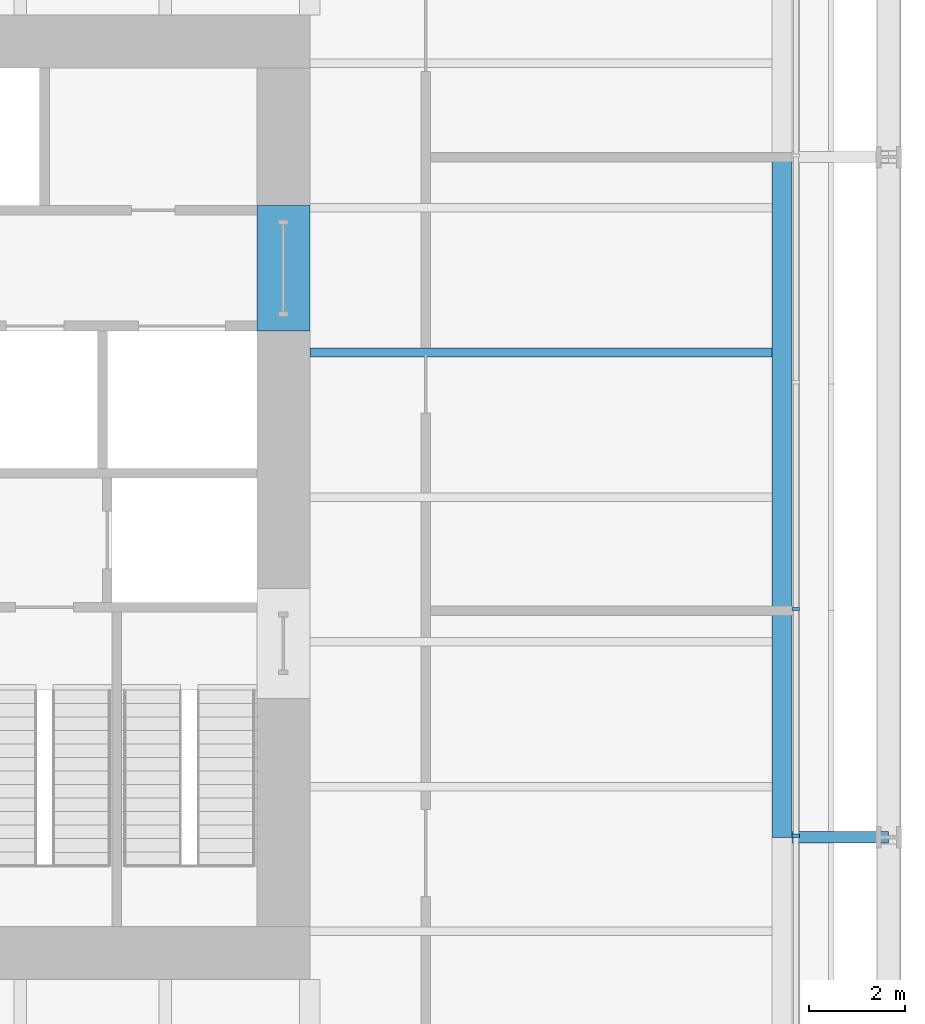
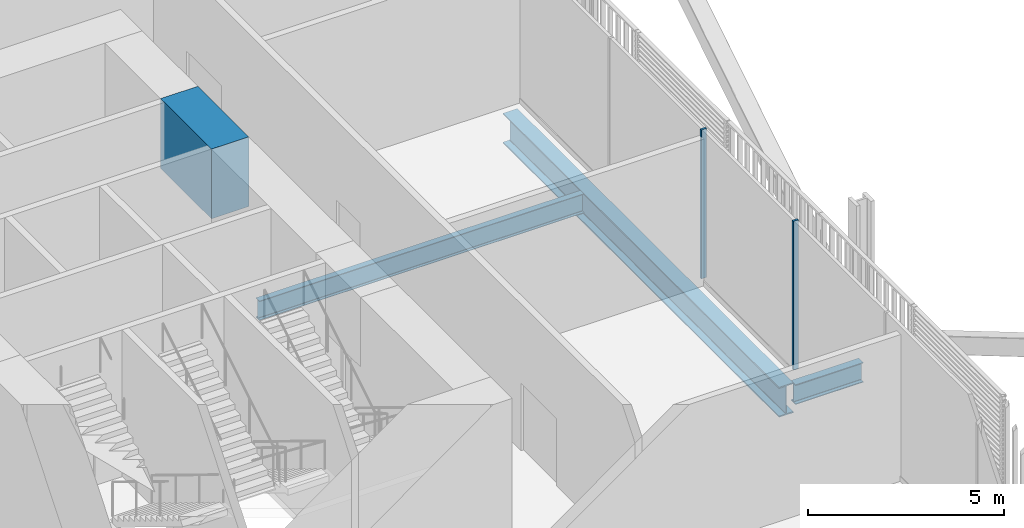
# One storey, part 9 of 22: 4 beams, 2 members, 1 element without a shape of its own.
"""IFC4 building model written with IfcOpenShell, lengths in metres."""

from ifc_helpers import new_model, si_unit, direction, frame, origin, origin_2d, place, context, subcontext, project, spatial, rectangle, i_section, extrude, material, layer, layer_set, material_profile, profile_set, type_object, element, aggregate, save


model = new_model("IFC4")

# Units and contexts
model_context = context("Model", 3, precision=1e-05, world=origin(), true_north=direction((0.0, 1.0)))
body_context = subcontext(model_context, "Body", "Model", "MODEL_VIEW")
ifc_project = project(units=[si_unit("LENGTHUNIT", "METRE"), si_unit("AREAUNIT", "SQUARE_METRE"), si_unit("VOLUMEUNIT", "CUBIC_METRE"), si_unit("PLANEANGLEUNIT", "RADIAN"), si_unit("MASSUNIT", "GRAM", prefix="KILO")], contexts=[model_context])

# Site, building, storey
site_placement = place(None, origin())
site = spatial("IfcSite", under=ifc_project, at=site_placement, CompositionType="ELEMENT")
building_placement = place(site_placement, origin())
building = spatial("IfcBuilding", under=site, at=building_placement, Name="Millrace Tower", CompositionType="ELEMENT")
storey_placement = place(building_placement, frame((0.0, 0.0, 54.5)))
storey = spatial("IfcBuildingStorey", under=building, at=storey_placement, Name="L12", CompositionType="ELEMENT", Elevation=54.5)

# Curtain wall, members
ifc_material_1 = material(Name="Aluminium and glass", Category="aluminium")
ifc_layer = layer(ifc_material_1, 0.14990234375)
ifc_layer_set = layer_set([ifc_layer], Name="Aluminium and glass")
curtain_wall_type = type_object("IfcCurtainWallType", Name="CW-2 data hall insulated curtain wall", PredefinedType="NOTDEFINED", material=ifc_layer_set)
curtain_wall_placement = place(storey_placement, origin())
curtain_wall = element("IfcCurtainWall", 1, at=curtain_wall_placement, inside=storey, type_object=curtain_wall_type, Name="Curtain wall A-F04 L12", PredefinedType="NOTDEFINED")
ifc_material_2 = material(Name="Aluminium", Category="aluminium")
ifc_material_profile_1 = material_profile(ifc_material_2, rectangle(XDim=0.06494140625, YDim=0.14990234375, at=origin_2d()))
ifc_profile_set_1 = profile_set([ifc_material_profile_1], Name="Aluminium")
member_type = type_object("IfcMemberType", Name="CW-2 data hall insulated curtain wall mullion", PredefinedType="MULLION", material=ifc_profile_set_1)
member_1_placement = place(storey_placement, frame((25.074951171875, -7.017578125, 0.159912109375), z_axis=(0.0, 0.0, 1.0), x_axis=(0.0, 1.0, 0.0)))
member_1 = element("IfcMember", 2, at=member_1_placement, type_object=member_type, Name="CW2 mullion A-F04.4", PredefinedType="MULLION", context=body_context, shape_type="SweptSolid", body=[
    extrude(rectangle(XDim=0.06494140625, YDim=0.14990234375, at=origin_2d()), origin(), (0.0, 0.0, 1.0), 4.64013671875),
])
member_2_placement = place(storey_placement, frame((25.074951171875, -2.3173828125, 0.159912109375), z_axis=(0.0, 0.0, 1.0), x_axis=(0.0, 1.0, 0.0)))
member_2 = element("IfcMember", 3, at=member_2_placement, type_object=member_type, Name="CW2 mullion A-F04.5", PredefinedType="MULLION", context=body_context, shape_type="SweptSolid", body=[
    extrude(rectangle(XDim=0.06494140625, YDim=0.14990234375, at=origin_2d()), origin(), (0.0, 0.0, 1.0), 4.64013671875),
])
aggregate(curtain_wall, [member_1, member_2])

# Beams
ifc_material_3 = material(Name="Concrete C80", Category="concrete")
ifc_material_profile_2 = material_profile(ifc_material_3, rectangle(XDim=1.10009765625, YDim=2.175048828125, at=origin_2d()))
ifc_profile_set_2 = profile_set([ifc_material_profile_2], Name="Concrete C80")
beam_type_1 = type_object("IfcBeamType", Name="Coupling beam 1100 x 2175 Concrete C80, 2000 opening", PredefinedType="BEAM", material=ifc_profile_set_2)
beam_1_placement = place(storey_placement, frame((14.449951171875, 6.050048828125, 3.487548828125), z_axis=(0.0, -1.0, 0.0), x_axis=(1.0, 0.0, 0.0)))
element("IfcBeam", 4, at=beam_1_placement, inside=storey, type_object=beam_type_1, Name="Coupling beam E L12", PredefinedType="BEAM", context=body_context, shape_type="SweptSolid", body=[
    extrude(rectangle(XDim=1.10009765625, YDim=2.175048828125, at=origin_2d()), origin(), (0.0, 0.0, 1.0), 2.60009765625),
])
ifc_material_4 = material(Name="Steel ASTM A992 Grade 50", Category="steel")
ifc_material_profile_3 = material_profile(ifc_material_4, i_section(OverallWidth=0.1787109375, OverallDepth=0.60205078125, WebThickness=0.010986328125, FlangeThickness=0.014892578125, FilletRadius=0.0126953125, at=origin_2d()))
ifc_profile_set_3 = profile_set([ifc_material_profile_3], Name="Steel ASTM A992 Grade 50")
beam_type_2 = type_object("IfcBeamType", Name="Floor beam W24x62", PredefinedType="JOIST", material=ifc_profile_set_3)
beam_2_placement = place(storey_placement, frame((15.0, 3.0, -0.52587890625), z_axis=(1.0, 0.0, 0.0), x_axis=(0.0, 1.0, 0.0)))
element("IfcBeam", 5, at=beam_2_placement, inside=storey, type_object=beam_type_2, Name="BM-A-L12-S1-S025", PredefinedType="JOIST", context=body_context, shape_type="SweptSolid", body=[
    extrude(i_section(OverallWidth=0.1787109375, OverallDepth=0.60205078125, WebThickness=0.010986328125, FlangeThickness=0.014892578125, FilletRadius=0.0126953125, at=origin_2d()), origin(), (0.0, 0.0, 1.0), 9.578369140625),
])
ifc_material_5 = material(Name="Steel ASTM A992 Grade 50", Category="steel")
ifc_material_profile_4 = material_profile(ifc_material_5, i_section(OverallWidth=0.23046875, OverallDepth=0.6171875, WebThickness=0.01318359375, FlangeThickness=0.022216796875, FilletRadius=0.012939453125, at=origin_2d()))
ifc_profile_set_4 = profile_set([ifc_material_profile_4], Name="Steel ASTM A992 Grade 50")
beam_type_3 = type_object("IfcBeamType", Name="Link beam W24x94", PredefinedType="BEAM", material=ifc_profile_set_4)
beam_3_placement = place(storey_placement, frame((25.0, -7.050048828125, -0.53369140625), z_axis=(1.0, 0.0, 0.0), x_axis=(0.0, 1.0, 0.0)))
element("IfcBeam", 6, at=beam_3_placement, inside=storey, type_object=beam_type_3, Name="LNK-A-L12-S1-11", PredefinedType="BEAM", context=body_context, shape_type="SweptSolid", body=[
    extrude(i_section(OverallWidth=0.23046875, OverallDepth=0.6171875, WebThickness=0.01318359375, FlangeThickness=0.022216796875, FilletRadius=0.012939453125, at=origin_2d()), origin(), (0.0, 0.0, 1.0), 2.0),
])
ifc_material_6 = material(Name="Steel ASTM A992 Grade 50", Category="steel")
ifc_material_profile_5 = material_profile(ifc_material_6, i_section(OverallWidth=0.421630859375, OverallDepth=0.937255859375, WebThickness=0.021240234375, FlangeThickness=0.03662109375, FilletRadius=0.024169921875, at=origin_2d()))
ifc_profile_set_5 = profile_set([ifc_material_profile_5], Name="Steel ASTM A992 Grade 50")
beam_type_4 = type_object("IfcBeamType", Name="Ring beam medium span W36x262", PredefinedType="SPANDREL", material=ifc_profile_set_5)
beam_4_placement = place(storey_placement, frame((24.7890625, 7.050048828125, -0.693603515625), z_axis=(0.0, -1.0, 0.0), x_axis=(1.0, 0.0, 0.0)))
element("IfcBeam", 7, at=beam_4_placement, inside=storey, type_object=beam_type_4, Name="RNG-A-L12-S1-10", PredefinedType="SPANDREL", context=body_context, shape_type="SweptSolid", body=[
    extrude(i_section(OverallWidth=0.421630859375, OverallDepth=0.937255859375, WebThickness=0.021240234375, FlangeThickness=0.03662109375, FilletRadius=0.024169921875, at=origin_2d()), origin(), (0.0, 0.0, 1.0), 14.10009765625),
])

save(model, "model.ifc")
